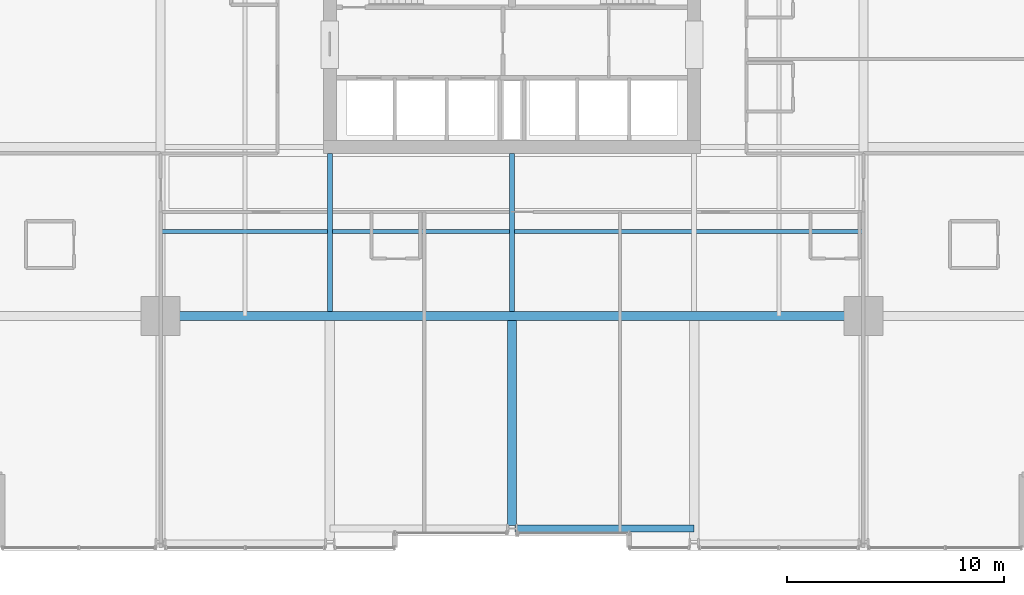
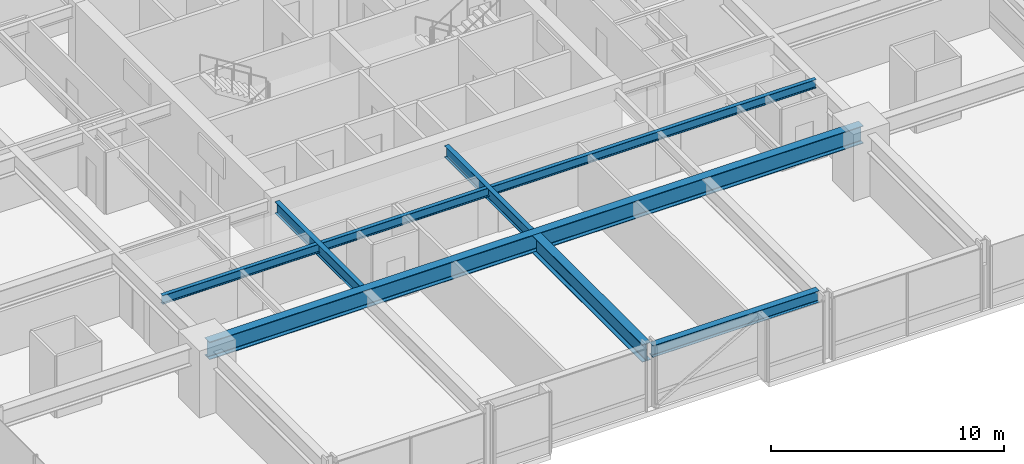
# One storey, part 6 of 38: 6 beams.
"""IFC4 building model written with IfcOpenShell, lengths in metres."""

from ifc_helpers import new_model, si_unit, direction, frame, origin, origin_2d, place, context, subcontext, project, spatial, i_section, extrude, material, material_profile, profile_set, type_object, element, save


model = new_model("IFC4")

# Units and contexts
model_context = context("Model", 3, precision=1e-05, world=origin(), true_north=direction((0.0, 1.0)))
body_context = subcontext(model_context, "Body", "Model", "MODEL_VIEW")
ifc_project = project(units=[si_unit("LENGTHUNIT", "METRE"), si_unit("AREAUNIT", "SQUARE_METRE"), si_unit("VOLUMEUNIT", "CUBIC_METRE"), si_unit("PLANEANGLEUNIT", "RADIAN"), si_unit("MASSUNIT", "GRAM", prefix="KILO")], contexts=[model_context])

# Site, building, storey
site_placement = place(None, origin())
site = spatial("IfcSite", under=ifc_project, at=site_placement, CompositionType="ELEMENT")
building_placement = place(site_placement, origin())
building = spatial("IfcBuilding", under=site, at=building_placement, Name="Drelvath Grand Hotel", CompositionType="ELEMENT")
storey_placement = place(building_placement, frame((0.0, 0.0, 50.699951171875)))
storey = spatial("IfcBuildingStorey", under=building, at=storey_placement, Name="L11", CompositionType="ELEMENT", Elevation=50.699951171875)

# Beams
ifc_material = material(Name="Steel ASTM A992 Gr 50", Category="steel")
ifc_material_profile_1 = material_profile(ifc_material, i_section(OverallWidth=0.19140625, OverallDepth=0.4599609375, WebThickness=0.010009765625, FlangeThickness=0.01611328125, FilletRadius=0.01611328125, at=origin_2d()), Name="W18X55")
ifc_profile_set_1 = profile_set([ifc_material_profile_1], Name="Steel ASTM A992 Gr 50")
beam_type_1 = type_object("IfcBeamType", Name="Composite Floor Joist W18X55", PredefinedType="JOIST", material=ifc_profile_set_1)
beam_1_placement = place(storey_placement, frame((-16.199951171875, 14.699951171875, 3.010009765625), z_axis=(1.0, 0.0, 0.0), x_axis=(0.0, 1.0, 0.0)))
element("IfcBeam", 1, at=beam_1_placement, inside=storey, type_object=beam_type_1, Name="L11 Floor Joist J1", PredefinedType="JOIST", context=body_context, shape_type="SweptSolid", body=[
    extrude(i_section(OverallWidth=0.19140625, OverallDepth=0.4599609375, WebThickness=0.010009765625, FlangeThickness=0.01611328125, FilletRadius=0.01611328125, at=origin_2d()), origin(), (0.0, 0.0, 1.0), 32.39990234375),
])
ifc_material_profile_2 = material_profile(ifc_material, i_section(OverallWidth=0.323974609375, OverallDepth=0.611083984375, WebThickness=0.0126953125, FlangeThickness=0.01904296875, FilletRadius=0.02197265625, at=origin_2d()), Name="W24X104")
ifc_profile_set_2 = profile_set([ifc_material_profile_2], Name="Steel ASTM A992 Gr 50")
beam_type_2 = type_object("IfcBeamType", Name="Perimeter Spandrel Beam W24X104", PredefinedType="SPANDREL", material=ifc_profile_set_2)
beam_2_placement = place(storey_placement, frame((0.139892578125, 1.0, 2.9345703125), z_axis=(1.0, 0.0, 0.0), x_axis=(0.0, 1.0, 0.0)))
element("IfcBeam", 2, at=beam_2_placement, inside=storey, type_object=beam_type_2, Name="L11 Spandrel South Mid E", PredefinedType="SPANDREL", context=body_context, shape_type="SweptSolid", body=[
    extrude(i_section(OverallWidth=0.323974609375, OverallDepth=0.611083984375, WebThickness=0.0126953125, FlangeThickness=0.01904296875, FilletRadius=0.02197265625, at=origin_2d()), origin(), (0.0, 0.0, 1.0), 8.260009765625),
])
ifc_material_profile_3 = material_profile(ifc_material, i_section(OverallWidth=0.228271484375, OverallDepth=0.607666015625, WebThickness=0.01123046875, FlangeThickness=0.017333984375, FilletRadius=0.02001953125, at=origin_2d()), Name="W24X76")
ifc_profile_set_3 = profile_set([ifc_material_profile_3], Name="Steel ASTM A992 Gr 50")
beam_type_3 = type_object("IfcBeamType", Name="Primary Floor Girder W24X76", PredefinedType="BEAM", material=ifc_profile_set_3)
for number, where, z_axis, x_axis, name in (
    (3, (-8.39990234375, 11.00927734375, 2.936279296875), (0.0, 1.0, 0.0), (-1.0, 0.0, 0.0), "L11 South Core Tie 4"),
    (4, (0.0, 11.00927734375, 2.936279296875), (0.0, 1.0, 0.0), (-1.0, 0.0, 0.0), "L11 South Core Tie 5"),
):
    element("IfcBeam", number, at=place(storey_placement, frame(where, z_axis=z_axis, x_axis=x_axis)), inside=storey, type_object=beam_type_3, Name=name, PredefinedType="BEAM", context=body_context, shape_type="SweptSolid", body=[
        extrude(i_section(OverallWidth=0.228271484375, OverallDepth=0.607666015625, WebThickness=0.01123046875, FlangeThickness=0.017333984375, FilletRadius=0.02001953125, at=origin_2d()), origin(), (0.0, 0.0, 1.0), 7.290771484375),
    ])
ifc_material_profile_4 = material_profile(ifc_material, i_section(OverallWidth=0.418212890625, OverallDepth=0.926513671875, WebThickness=0.019287109375, FlangeThickness=0.031982421875, FilletRadius=0.028076171875, at=origin_2d()), Name="W36X231")
ifc_profile_set_4 = profile_set([ifc_material_profile_4], Name="Steel ASTM A992 Gr 50")
beam_type_4 = type_object("IfcBeamType", Name="Primary Floor Girder W36X231", PredefinedType="BEAM", material=ifc_profile_set_4)
beam_3_placement = place(storey_placement, frame((-16.199951171875, 10.800048828125, 2.77685546875), z_axis=(1.0, 0.0, 0.0), x_axis=(0.0, 1.0, 0.0)))
element("IfcBeam", 5, at=beam_3_placement, inside=storey, type_object=beam_type_4, Name="L11 Mega Ring Girder South", PredefinedType="BEAM", context=body_context, shape_type="SweptSolid", body=[
    extrude(i_section(OverallWidth=0.418212890625, OverallDepth=0.926513671875, WebThickness=0.019287109375, FlangeThickness=0.031982421875, FilletRadius=0.028076171875, at=origin_2d()), origin(), (0.0, 0.0, 1.0), 32.39990234375),
])
beam_4_placement = place(storey_placement, frame((0.0, 1.139892578125, 2.77685546875), z_axis=(0.0, 1.0, 0.0), x_axis=(-1.0, 0.0, 0.0)))
element("IfcBeam", 6, at=beam_4_placement, inside=storey, type_object=beam_type_4, Name="L11 South Wing Girder 5", PredefinedType="BEAM", context=body_context, shape_type="SweptSolid", body=[
    extrude(i_section(OverallWidth=0.418212890625, OverallDepth=0.926513671875, WebThickness=0.019287109375, FlangeThickness=0.031982421875, FilletRadius=0.028076171875, at=origin_2d()), origin(), (0.0, 0.0, 1.0), 9.450927734375),
])

save(model, "model.ifc")
